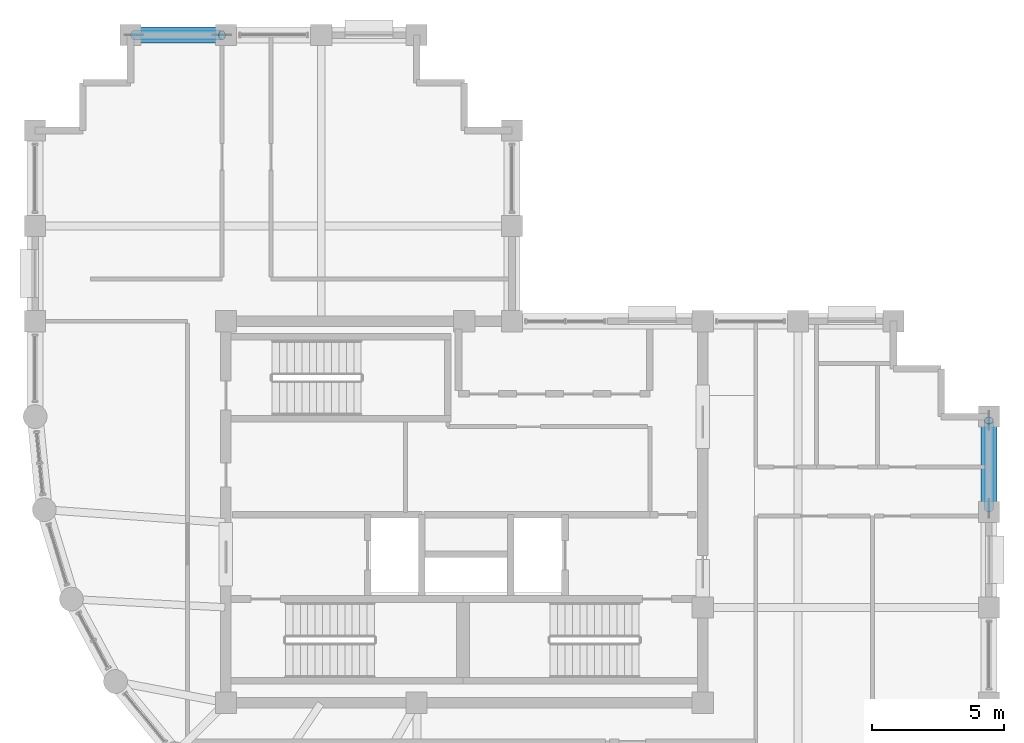
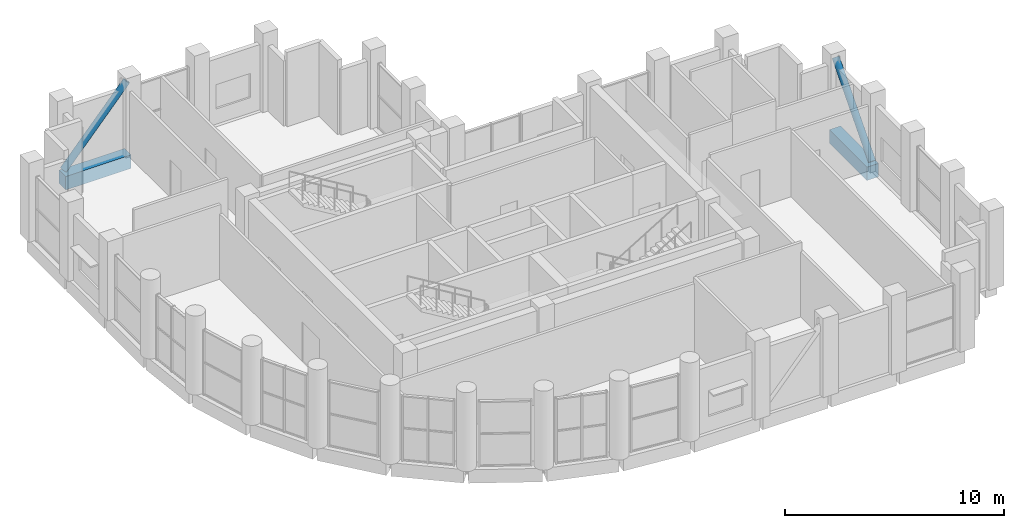
# One storey, part 11 of 18: 2 beams, 2 members.
"""IFC4 building model written with IfcOpenShell, lengths in metres."""

from ifc_helpers import new_model, si_unit, direction, frame, origin, origin_2d, place, context, subcontext, project, spatial, rectangle, hollow_circle, extrude, material, material_profile, profile_set, type_object, element, save


model = new_model("IFC4")

# Units and contexts
model_context = context("Model", 3, precision=1e-05, world=origin(), true_north=direction((0.0, 1.0)))
body_context = subcontext(model_context, "Body", "Model", "MODEL_VIEW")
ifc_project = project(units=[si_unit("LENGTHUNIT", "METRE"), si_unit("AREAUNIT", "SQUARE_METRE"), si_unit("VOLUMEUNIT", "CUBIC_METRE"), si_unit("PLANEANGLEUNIT", "RADIAN"), si_unit("MASSUNIT", "GRAM", prefix="KILO")], contexts=[model_context])

# Site, building, storey
site_placement = place(None, origin())
site = spatial("IfcSite", under=ifc_project, at=site_placement, CompositionType="ELEMENT")
building_placement = place(site_placement, origin())
building = spatial("IfcBuilding", under=site, at=building_placement, Name="Solnavia Interchange Tower", CompositionType="ELEMENT")
storey_placement = place(building_placement, frame((0.0, 0.0, 295.39990234375)))
storey = spatial("IfcBuildingStorey", under=building, at=storey_placement, Name="L75", CompositionType="ELEMENT", Elevation=295.39990234375)

# Beams
ifc_material_1 = material(Name="Concrete C50/60", Category="concrete")
ifc_material_profile_1 = material_profile(ifc_material_1, rectangle(XDim=0.60009765625, YDim=0.75, at=origin_2d()), Name="RC 600x750")
ifc_profile_set_1 = profile_set([ifc_material_profile_1], Name="Concrete C50/60")
beam_type = type_object("IfcBeamType", Name="Beam-Spandrel-RC600x750", PredefinedType="SPANDREL", material=ifc_profile_set_1)
beam_1_placement = place(storey_placement, frame((43.199951171875, 18.080078125, -0.375), z_axis=(0.0, 1.0, 0.0), x_axis=(-1.0, 0.0, 0.0)))
element("IfcBeam", 1, at=beam_1_placement, inside=storey, type_object=beam_type, Name="SPB-L75-16 Framed-tube perimeter spandrel beam", PredefinedType="SPANDREL", context=body_context, shape_type="SweptSolid", body=[
    extrude(rectangle(XDim=0.60009765625, YDim=0.75, at=origin_2d()), origin(), (0.0, 0.0, 1.0), 3.43994140625),
])
beam_2_placement = place(storey_placement, frame((14.320068359375, 36.0, -0.375), z_axis=(-1.0, 0.0, 0.0), x_axis=(0.0, -1.0, 0.0)))
element("IfcBeam", 2, at=beam_2_placement, inside=storey, type_object=beam_type, Name="SPB-L75-24 Framed-tube perimeter spandrel beam", PredefinedType="SPANDREL", context=body_context, shape_type="SweptSolid", body=[
    extrude(rectangle(XDim=0.60009765625, YDim=0.75, at=origin_2d()), origin(), (0.0, 0.0, 1.0), 3.440185546875),
])

# Members
ifc_material_2 = material(Name="Steel S460", Category="steel")
ifc_material_profile_2 = material_profile(ifc_material_2, hollow_circle(Radius=0.177734375, WallThickness=0.01611328125, at=origin_2d()), Name="CHS 355.6x16")
ifc_profile_set_2 = profile_set([ifc_material_profile_2], Name="Steel S460")
member_type = type_object("IfcMemberType", Name="Brace-Perim-CHS355", PredefinedType="BRACE", material=ifc_profile_set_2)
for number, where, z_axis, x_axis, name in (
    (3, (43.199951171875, 18.139892578125, 0.18017578125), (0.0, 0.658929871305, 0.75220437695), (-1.0, 0.0, 0.0), "BRC-L75-02 Perimeter tube diagonal brace"),
    (4, (10.93994140625, 36.0, 0.18017578125), (0.658929871305, 0.0, 0.75220437695), (0.0, 1.0, 0.0), "BRC-L75-03 Perimeter tube diagonal brace"),
):
    element("IfcMember", number, at=place(storey_placement, frame(where, z_axis=z_axis, x_axis=x_axis)), inside=storey, type_object=member_type, Name=name, PredefinedType="BRACE", context=body_context, shape_type="SweptSolid", body=[
        extrude(hollow_circle(Radius=0.177734375, WallThickness=0.01611328125, at=origin_2d()), origin(), (0.0, 0.0, 1.0), 5.03857421875),
    ])

save(model, "model.ifc")
